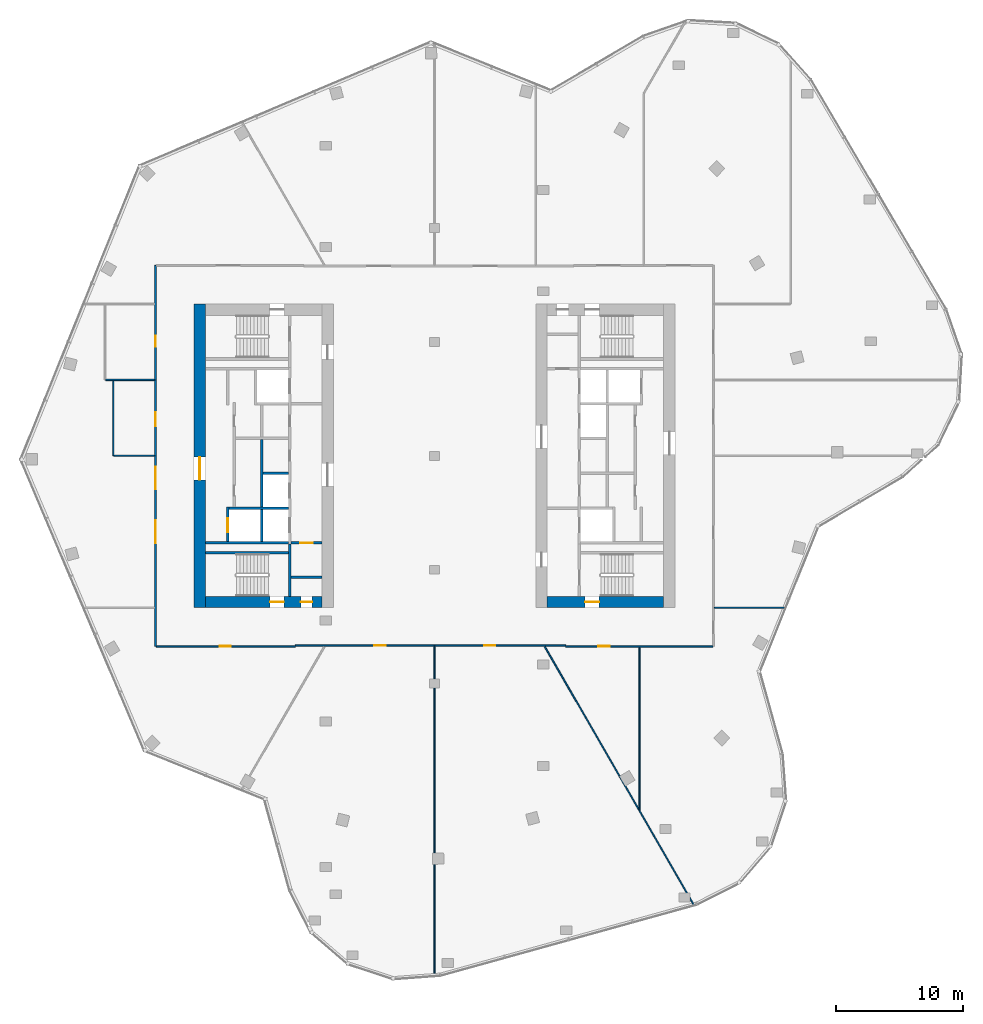
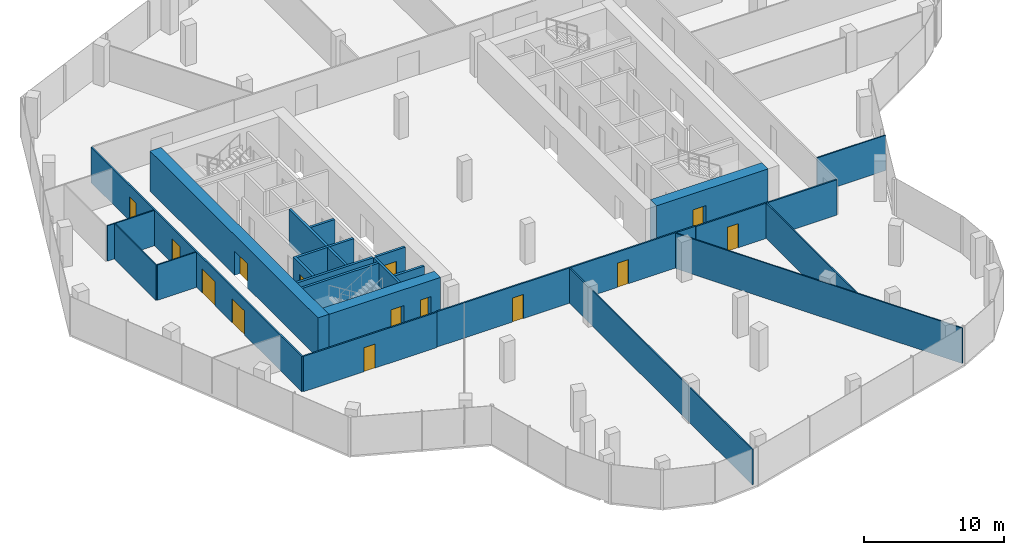
# One storey, part 12 of 16: 24 walls, 14 doors, 14 openings.
"""IFC4 building model written with IfcOpenShell, lengths in metres."""

from ifc_helpers import new_model, si_unit, direction, frame, frame_2d, origin, place, context, subcontext, project, spatial, rectangle, extrude, material, layer, layer_set, type_object, element, fill, save


model = new_model("IFC4")

# Units and contexts
model_context = context("Model", 3, precision=1e-05, world=origin(), true_north=direction((0.0, 1.0)))
body_context = subcontext(model_context, "Body", "Model", "MODEL_VIEW")
ifc_project = project(units=[si_unit("LENGTHUNIT", "METRE"), si_unit("AREAUNIT", "SQUARE_METRE"), si_unit("VOLUMEUNIT", "CUBIC_METRE"), si_unit("PLANEANGLEUNIT", "RADIAN"), si_unit("MASSUNIT", "GRAM", prefix="KILO")], contexts=[model_context])

# Site, building, storey
site_placement = place(None, origin())
site = spatial("IfcSite", under=ifc_project, at=site_placement, CompositionType="ELEMENT")
building_placement = place(site_placement, origin())
building = spatial("IfcBuilding", under=site, at=building_placement, Name="Orlundy Tower", CompositionType="ELEMENT")
storey_placement = place(building_placement, frame((0.0, 0.0, 285.89990234375)))
storey = spatial("IfcBuildingStorey", under=building, at=storey_placement, Name="L76", CompositionType="ELEMENT", Elevation=285.89990234375)

# Wall, openings, doors
ifc_material_1 = material(Name="Concrete C50/60", Category="concrete")
ifc_layer_1 = layer(ifc_material_1, 0.89990234375)
ifc_layer_set_1 = layer_set([ifc_layer_1], Name="CORE WALL 900 C50/60")
wall_type_1 = type_object("IfcWallType", Name="CORE WALL 900 C50/60", PredefinedType="SHEAR", material=ifc_layer_set_1)
wall_1_placement = place(storey_placement, frame((-18.10009765625, -11.550048828125, 0.0), z_axis=(0.0, 0.0, 1.0), x_axis=(1.0, 0.0, 0.0)))
wall_1 = element("IfcWall", 1, at=wall_1_placement, inside=storey, type_object=wall_type_1, Name="Core wall W-S L76", PredefinedType="SHEAR", context=body_context, shape_type="SweptSolid", body=[
    extrude(rectangle(XDim=9.2001953125, YDim=0.89990234375, at=frame_2d((4.60009765625, 0.0))), origin(), (0.0, 0.0, 1.0), 3.5),
])
opening_1_placement = place(wall_1_placement, frame((5.10009765625, 0.0, 0.0)))
opening_1 = element("IfcOpeningElement", 2, at=opening_1_placement, cuts=wall_1, Name="Opening 58013", PredefinedType="OPENING", context=body_context, shape_type="SweptSolid", body=[
    extrude(rectangle(XDim=1.10009765625, YDim=2.10009765625, at=frame_2d((0.550048828125, 1.050048828125))), frame((0.0, 0.4599609375, 0.0), z_axis=(0.0, -1.0, 0.0), x_axis=(1.0, 0.0, 0.0)), (0.0, 0.0, 1.0), 0.919921875),
])
opening_2_placement = place(wall_1_placement, frame((7.530029296875, 0.0, 0.0)))
opening_2 = element("IfcOpeningElement", 3, at=opening_2_placement, cuts=wall_1, Name="Opening 58015", PredefinedType="OPENING", context=body_context, shape_type="SweptSolid", body=[
    extrude(rectangle(XDim=0.89990234375, YDim=2.10009765625, at=frame_2d((0.449951171875, 1.050048828125))), frame((0.0, 0.4599609375, 0.0), z_axis=(0.0, -1.0, 0.0), x_axis=(1.0, 0.0, 0.0)), (0.0, 0.0, 1.0), 0.919921875),
])
ifc_material_2 = material(Name="Timber door set", Category="wood")
door_type_1 = type_object("IfcDoorType", Name="Room Door 900x2100", OperationType="SINGLE_SWING_LEFT", PredefinedType="DOOR", material=ifc_material_2)
door_1_placement = place(opening_2_placement, origin())
door_1 = element("IfcDoor", 4, at=door_1_placement, inside=storey, type_object=door_type_1, Name="Store door 58015", OperationType="SINGLE_SWING_RIGHT", OverallHeight=2.10009765625, OverallWidth=0.89990234375, PredefinedType="DOOR", context=body_context, shape_type="SweptSolid", body=[
    extrude(rectangle(XDim=0.89990234375, YDim=2.10009765625, at=frame_2d((0.449951171875, 1.050048828125))), frame((0.0, 0.02490234375, 0.0), z_axis=(0.0, -1.0, 0.0), x_axis=(1.0, 0.0, 0.0)), (0.0, 0.0, 1.0), 0.050048828125),
])
fill(opening_2, door_1)
ifc_material_3 = material(Name="Steel door set", Category="steel")
door_type_2 = type_object("IfcDoorType", Name="Stair Door 1100x2100", OperationType="SINGLE_SWING_LEFT", PredefinedType="DOOR", material=ifc_material_3)
door_2_placement = place(opening_1_placement, origin())
door_2 = element("IfcDoor", 5, at=door_2_placement, inside=storey, type_object=door_type_2, Name="Stair door 58013", OperationType="SINGLE_SWING_RIGHT", OverallHeight=2.10009765625, OverallWidth=1.10009765625, PredefinedType="DOOR", context=body_context, shape_type="SweptSolid", body=[
    extrude(rectangle(XDim=1.10009765625, YDim=2.10009765625, at=frame_2d((0.550048828125, 1.050048828125))), frame((0.0, 0.02490234375, 0.0), z_axis=(0.0, -1.0, 0.0), x_axis=(1.0, 0.0, 0.0)), (0.0, 0.0, 1.0), 0.050048828125),
])
fill(opening_1, door_2)

# Wall, opening, door
wall_2_placement = place(storey_placement, frame((-18.550048828125, -12.0, 0.0), z_axis=(0.0, 0.0, 1.0), x_axis=(0.0, 1.0, 0.0)))
wall_2 = element("IfcWall", 6, at=wall_2_placement, inside=storey, type_object=wall_type_1, Name="Core wall W-W L76", PredefinedType="SHEAR", context=body_context, shape_type="SweptSolid", body=[
    extrude(rectangle(XDim=24.0, YDim=0.89990234375, at=frame_2d((12.0, 0.0))), origin(), (0.0, 0.0, 1.0), 3.5),
])
opening_3_placement = place(wall_2_placement, frame((10.10009765625, 0.0, 0.0)))
opening_3 = element("IfcOpeningElement", 7, at=opening_3_placement, cuts=wall_2, Name="Opening 58010", PredefinedType="OPENING", context=body_context, shape_type="SweptSolid", body=[
    extrude(rectangle(XDim=1.800048828125, YDim=2.10009765625, at=frame_2d((0.89990234375, 1.050048828125))), frame((0.0, 0.4599609375, 0.0), z_axis=(0.0, -1.0, 0.0), x_axis=(1.0, 0.0, 0.0)), (0.0, 0.0, 1.0), 0.919921875),
])
ifc_material_4 = material(Name="Timber door set", Category="wood")
door_type_3 = type_object("IfcDoorType", Name="Lobby Door 1800x2100", OperationType="DOUBLE_DOOR_DOUBLE_SWING", PredefinedType="DOOR", material=ifc_material_4)
door_3_placement = place(opening_3_placement, origin())
door_3 = element("IfcDoor", 8, at=door_3_placement, inside=storey, type_object=door_type_3, Name="Lift lobby door 58010", OperationType="SINGLE_SWING_LEFT", OverallHeight=2.10009765625, OverallWidth=1.800048828125, PredefinedType="DOOR", context=body_context, shape_type="SweptSolid", body=[
    extrude(rectangle(XDim=1.800048828125, YDim=2.10009765625, at=frame_2d((0.89990234375, 1.050048828125))), frame((0.0, 0.02490234375, 0.0), z_axis=(0.0, -1.0, 0.0), x_axis=(1.0, 0.0, 0.0)), (0.0, 0.0, 1.0), 0.050048828125),
])
fill(opening_3, door_3)

wall_3_placement = place(storey_placement, frame((8.89990234375, -11.550048828125, 0.0), z_axis=(0.0, 0.0, 1.0), x_axis=(1.0, 0.0, 0.0)))
wall_3 = element("IfcWall", 9, at=wall_3_placement, inside=storey, type_object=wall_type_1, Name="Core wall E-S L76", PredefinedType="SHEAR", context=body_context, shape_type="SweptSolid", body=[
    extrude(rectangle(XDim=9.2001953125, YDim=0.89990234375, at=frame_2d((4.60009765625, 0.0))), origin(), (0.0, 0.0, 1.0), 3.5),
])
opening_4_placement = place(wall_3_placement, frame((3.0, 0.0, 0.0)))
opening_4 = element("IfcOpeningElement", 10, at=opening_4_placement, cuts=wall_3, Name="Opening 58061", PredefinedType="OPENING", context=body_context, shape_type="SweptSolid", body=[
    extrude(rectangle(XDim=1.10009765625, YDim=2.10009765625, at=frame_2d((0.550048828125, 1.050048828125))), frame((0.0, 0.4599609375, 0.0), z_axis=(0.0, -1.0, 0.0), x_axis=(1.0, 0.0, 0.0)), (0.0, 0.0, 1.0), 0.919921875),
])
door_4_placement = place(opening_4_placement, origin())
door_4 = element("IfcDoor", 11, at=door_4_placement, inside=storey, type_object=door_type_2, Name="Stair door 58061", OperationType="SINGLE_SWING_LEFT", OverallHeight=2.10009765625, OverallWidth=1.10009765625, PredefinedType="DOOR", context=body_context, shape_type="SweptSolid", body=[
    extrude(rectangle(XDim=1.10009765625, YDim=2.10009765625, at=frame_2d((0.550048828125, 1.050048828125))), frame((0.0, 0.02490234375, 0.0), z_axis=(0.0, -1.0, 0.0), x_axis=(1.0, 0.0, 0.0)), (0.0, 0.0, 1.0), 0.050048828125),
])
fill(opening_4, door_4)

# Walls
ifc_material_5 = material(Name="Gypsum board partition")
ifc_layer_2 = layer(ifc_material_5, 0.10009765625)
ifc_layer_set_2 = layer_set([ifc_layer_2], Name="Floor partition 100")
wall_type_2 = type_object("IfcWallType", Name="Floor partition 100", PredefinedType="PARTITIONING", material=ifc_layer_set_2)
wall_4_placement = place(storey_placement, frame((8.7119140625, -15.087890625, 0.0), z_axis=(0.0, 0.0, 1.0), x_axis=(0.499948681642, -0.866055030425, 0.0)))
element("IfcWall", 12, at=wall_4_placement, inside=storey, type_object=wall_type_2, Name="wall-int-L76-002", PredefinedType="PARTITIONING", context=body_context, shape_type="SweptSolid", body=[
    extrude(rectangle(XDim=23.634765625, YDim=0.10009765625, at=frame_2d((11.8173828125, 0.0))), origin(), (0.0, 0.0, 1.0), 3.080078125),
])
wall_5_placement = place(storey_placement, frame((22.113037109375, -12.0, 0.0), z_axis=(0.0, 0.0, 1.0), x_axis=(1.0, 0.0, 0.0)))
element("IfcWall", 13, at=wall_5_placement, inside=storey, type_object=wall_type_2, Name="wall-int-L76-007", PredefinedType="PARTITIONING", context=body_context, shape_type="SweptSolid", body=[
    extrude(rectangle(XDim=5.6650390625, YDim=0.10009765625, at=frame_2d((2.83251953125, 0.0))), origin(), (0.0, 0.0, 1.0), 3.080078125),
])
wall_6_placement = place(storey_placement, frame((-25.3310546875, 0.0009765625, 0.0), z_axis=(0.0, 0.0, 1.0), x_axis=(1.0, 0.0, 0.0)))
element("IfcWall", 14, at=wall_6_placement, inside=storey, type_object=wall_type_2, Name="wall-int-L76-008", PredefinedType="PARTITIONING", context=body_context, shape_type="SweptSolid", body=[
    extrude(rectangle(XDim=3.218017578125, YDim=0.10009765625, at=frame_2d((1.60888671875, 0.0))), origin(), (0.0, 0.0, 1.0), 3.080078125),
])
wall_7_placement = place(storey_placement, frame((-25.998046875, 6.0009765625, 0.0), z_axis=(0.0, 0.0, 1.0), x_axis=(1.0, 0.0, 0.0)))
element("IfcWall", 15, at=wall_7_placement, inside=storey, type_object=wall_type_2, Name="wall-int-L76-010", PredefinedType="PARTITIONING", context=body_context, shape_type="SweptSolid", body=[
    extrude(rectangle(XDim=3.885009765625, YDim=0.10009765625, at=frame_2d((1.9423828125, 0.0))), origin(), (0.0, 0.0, 1.0), 3.080078125),
])
wall_8_placement = place(storey_placement, frame((16.199951171875, -28.009033203125, 0.0), z_axis=(0.0, 0.0, 1.0), x_axis=(0.0, 1.0, 0.0)))
element("IfcWall", 16, at=wall_8_placement, inside=storey, type_object=wall_type_2, Name="wall-int-L76-022", PredefinedType="PARTITIONING", context=body_context, shape_type="SweptSolid", body=[
    extrude(rectangle(XDim=12.89501953125, YDim=0.10009765625, at=frame_2d((6.447509765625, 0.0))), origin(), (0.0, 0.0, 1.0), 3.080078125),
])
wall_9_placement = place(storey_placement, frame((0.0, -41.152099609375, 0.0), z_axis=(0.0, 0.0, 1.0), x_axis=(0.0, 1.0, 0.0)))
element("IfcWall", 17, at=wall_9_placement, inside=storey, type_object=wall_type_2, Name="wall-int-L76-024", PredefinedType="PARTITIONING", context=body_context, shape_type="SweptSolid", body=[
    extrude(rectangle(XDim=26.089111328125, YDim=0.10009765625, at=frame_2d((13.04443359375, 0.0))), origin(), (0.0, 0.0, 1.0), 3.080078125),
])
wall_10_placement = place(storey_placement, frame((-25.382080078125, 0.001953125, 0.0), z_axis=(0.0, 0.0, 1.0), x_axis=(0.0, 1.0, 0.0)))
element("IfcWall", 18, at=wall_10_placement, inside=storey, type_object=wall_type_2, Name="wall-int-L76-027", PredefinedType="PARTITIONING", context=body_context, shape_type="SweptSolid", body=[
    extrude(rectangle(XDim=5.948974609375, YDim=0.10009765625, at=frame_2d((2.974609375, 0.0))), origin(), (0.0, 0.0, 1.0), 3.080078125),
])

# Wall, opening, door
ifc_material_6 = material(Name="Gypsum board partition, double layer")
ifc_layer_3 = layer(ifc_material_6, 0.125)
ifc_layer_set_3 = layer_set([ifc_layer_3], Name="Floor partition 125")
wall_type_3 = type_object("IfcWallType", Name="Floor partition 125", PredefinedType="PARTITIONING", material=ifc_layer_set_3)
wall_11_placement = place(storey_placement, frame((-10.990966796875, -15.051025390625, 0.0), z_axis=(0.0, 0.0, 1.0), x_axis=(-1.0, 0.0, 0.0)))
wall_11 = element("IfcWall", 19, at=wall_11_placement, inside=storey, type_object=wall_type_3, Name="wall-int-L76-003", PredefinedType="PARTITIONING", context=body_context, shape_type="SweptSolid", body=[
    extrude(rectangle(XDim=10.9970703125, YDim=0.125, at=frame_2d((5.49853515625, 0.0))), origin(), (0.0, 0.0, 1.0), 3.080078125),
])
opening_5_placement = place(wall_11_placement, frame((5.10009765625, 0.0, 0.0)))
opening_5 = element("IfcOpeningElement", 20, at=opening_5_placement, cuts=wall_11, Name="Opening 58102", PredefinedType="OPENING", context=body_context, shape_type="SweptSolid", body=[
    extrude(rectangle(XDim=0.89990234375, YDim=2.10009765625, at=frame_2d((0.449951171875, 1.050048828125))), frame((0.0, 0.072509765625, 0.0), z_axis=(0.0, -1.0, 0.0), x_axis=(1.0, 0.0, 0.0)), (0.0, 0.0, 1.0), 0.14501953125),
])
ifc_material_7 = material(Name="Timber door leaf", Category="wood")
door_type_4 = type_object("IfcDoorType", Name="Floor door single 900 FD30S", OperationType="NOTDEFINED", PredefinedType="DOOR", material=ifc_material_7)
door_5_placement = place(opening_5_placement, origin())
door_5 = element("IfcDoor", 21, at=door_5_placement, inside=storey, type_object=door_type_4, Name="Door 58102", OperationType="SINGLE_SWING_RIGHT", OverallHeight=2.10009765625, OverallWidth=0.89990234375, PredefinedType="DOOR", context=body_context, shape_type="SweptSolid", body=[
    extrude(rectangle(XDim=0.89990234375, YDim=2.10009765625, at=frame_2d((0.449951171875, 1.050048828125))), frame((0.0, 0.02490234375, 0.0), z_axis=(0.0, -1.0, 0.0), x_axis=(1.0, 0.0, 0.0)), (0.0, 0.0, 1.0), 0.050048828125),
])
fill(opening_5, door_5)

wall_12_placement = place(storey_placement, frame((21.988037109375, -15.051025390625, 0.0), z_axis=(0.0, 0.0, 1.0), x_axis=(-1.0, 0.0, 0.0)))
wall_12 = element("IfcWall", 22, at=wall_12_placement, inside=storey, type_object=wall_type_3, Name="wall-int-L76-004", PredefinedType="PARTITIONING", context=body_context, shape_type="SweptSolid", body=[
    extrude(rectangle(XDim=11.637939453125, YDim=0.125, at=frame_2d((5.81884765625, 0.0))), origin(), (0.0, 0.0, 1.0), 3.080078125),
])
opening_6_placement = place(wall_12_placement, frame((8.137451171875, 0.0, 0.0)))
opening_6 = element("IfcOpeningElement", 23, at=opening_6_placement, cuts=wall_12, Name="Opening 58105", PredefinedType="OPENING", context=body_context, shape_type="SweptSolid", body=[
    extrude(rectangle(XDim=0.89990234375, YDim=2.10009765625, at=frame_2d((0.449951171875, 1.050048828125))), frame((0.0, 0.072509765625, 0.0), z_axis=(0.0, -1.0, 0.0), x_axis=(1.0, 0.0, 0.0)), (0.0, 0.0, 1.0), 0.14501953125),
])
door_6_placement = place(opening_6_placement, origin())
door_6 = element("IfcDoor", 24, at=door_6_placement, inside=storey, type_object=door_type_4, Name="Door 58105", OperationType="SINGLE_SWING_RIGHT", OverallHeight=2.10009765625, OverallWidth=0.89990234375, PredefinedType="DOOR", context=body_context, shape_type="SweptSolid", body=[
    extrude(rectangle(XDim=0.89990234375, YDim=2.10009765625, at=frame_2d((0.449951171875, 1.050048828125))), frame((0.0, 0.02490234375, 0.0), z_axis=(0.0, -1.0, 0.0), x_axis=(1.0, 0.0, 0.0)), (0.0, 0.0, 1.0), 0.050048828125),
])
fill(opening_6, door_6)

# Wall, openings, doors
wall_13_placement = place(storey_placement, frame((10.34912109375, -15.0009765625, 0.0), z_axis=(0.0, 0.0, 1.0), x_axis=(-1.0, 0.0, 0.0)))
wall_13 = element("IfcWall", 25, at=wall_13_placement, inside=storey, type_object=wall_type_3, Name="wall-int-L76-005", PredefinedType="PARTITIONING", context=body_context, shape_type="SweptSolid", body=[
    extrude(rectangle(XDim=21.339111328125, YDim=0.125, at=frame_2d((10.66943359375, 0.0))), origin(), (0.0, 0.0, 1.0), 3.080078125),
])
opening_7_placement = place(wall_13_placement, frame((14.198974609375, 0.0, 0.0)))
opening_7 = element("IfcOpeningElement", 26, at=opening_7_placement, cuts=wall_13, Name="Opening 58103", PredefinedType="OPENING", context=body_context, shape_type="SweptSolid", body=[
    extrude(rectangle(XDim=0.89990234375, YDim=2.10009765625, at=frame_2d((0.449951171875, 1.050048828125))), frame((0.0, 0.072509765625, 0.0), z_axis=(0.0, -1.0, 0.0), x_axis=(1.0, 0.0, 0.0)), (0.0, 0.0, 1.0), 0.14501953125),
])
opening_8_placement = place(wall_13_placement, frame((5.5380859375, 0.0, 0.0)))
opening_8 = element("IfcOpeningElement", 27, at=opening_8_placement, cuts=wall_13, Name="Opening 58104", PredefinedType="OPENING", context=body_context, shape_type="SweptSolid", body=[
    extrude(rectangle(XDim=0.89990234375, YDim=2.10009765625, at=frame_2d((0.449951171875, 1.050048828125))), frame((0.0, 0.072509765625, 0.0), z_axis=(0.0, -1.0, 0.0), x_axis=(1.0, 0.0, 0.0)), (0.0, 0.0, 1.0), 0.14501953125),
])
door_7_placement = place(opening_7_placement, origin())
door_7 = element("IfcDoor", 28, at=door_7_placement, inside=storey, type_object=door_type_4, Name="Door 58103", OperationType="SINGLE_SWING_RIGHT", OverallHeight=2.10009765625, OverallWidth=0.89990234375, PredefinedType="DOOR", context=body_context, shape_type="SweptSolid", body=[
    extrude(rectangle(XDim=0.89990234375, YDim=2.10009765625, at=frame_2d((0.449951171875, 1.050048828125))), frame((0.0, 0.02490234375, 0.0), z_axis=(0.0, -1.0, 0.0), x_axis=(1.0, 0.0, 0.0)), (0.0, 0.0, 1.0), 0.050048828125),
])
fill(opening_7, door_7)
door_8_placement = place(opening_8_placement, origin())
door_8 = element("IfcDoor", 29, at=door_8_placement, inside=storey, type_object=door_type_4, Name="Door 58104", OperationType="SINGLE_SWING_LEFT", OverallHeight=2.10009765625, OverallWidth=0.89990234375, PredefinedType="DOOR", context=body_context, shape_type="SweptSolid", body=[
    extrude(rectangle(XDim=0.89990234375, YDim=2.10009765625, at=frame_2d((0.449951171875, 1.050048828125))), frame((0.0, 0.02490234375, 0.0), z_axis=(0.0, -1.0, 0.0), x_axis=(1.0, 0.0, 0.0)), (0.0, 0.0, 1.0), 0.050048828125),
])
fill(opening_8, door_8)

wall_14_placement = place(storey_placement, frame((-22.050048828125, -15.051025390625, 0.0), z_axis=(0.0, 0.0, 1.0), x_axis=(0.0, 1.0, 0.0)))
wall_14 = element("IfcWall", 30, at=wall_14_placement, inside=storey, type_object=wall_type_3, Name="wall-int-L76-026", PredefinedType="PARTITIONING", context=body_context, shape_type="SweptSolid", body=[
    extrude(rectangle(XDim=30.10205078125, YDim=0.125, at=frame_2d((15.051025390625, 0.0))), origin(), (0.0, 0.0, 1.0), 3.080078125),
])
opening_9_placement = place(wall_14_placement, frame((8.15087890625, 0.0, 0.0)))
opening_9 = element("IfcOpeningElement", 31, at=opening_9_placement, cuts=wall_14, Name="Opening 58100", PredefinedType="OPENING", context=body_context, shape_type="SweptSolid", body=[
    extrude(rectangle(XDim=1.800048828125, YDim=2.10009765625, at=frame_2d((0.89990234375, 1.050048828125))), frame((0.0, 0.072509765625, 0.0), z_axis=(0.0, -1.0, 0.0), x_axis=(1.0, 0.0, 0.0)), (0.0, 0.0, 1.0), 0.14501953125),
])
opening_10_placement = place(wall_14_placement, frame((12.40087890625, 0.0, 0.0)))
opening_10 = element("IfcOpeningElement", 32, at=opening_10_placement, cuts=wall_14, Name="Opening 58101", PredefinedType="OPENING", context=body_context, shape_type="SweptSolid", body=[
    extrude(rectangle(XDim=1.800048828125, YDim=2.10009765625, at=frame_2d((0.89990234375, 1.050048828125))), frame((0.0, 0.072509765625, 0.0), z_axis=(0.0, -1.0, 0.0), x_axis=(1.0, 0.0, 0.0)), (0.0, 0.0, 1.0), 0.14501953125),
])
opening_11_placement = place(wall_14_placement, frame((23.652099609375, 0.0, 0.0)))
opening_11 = element("IfcOpeningElement", 33, at=opening_11_placement, cuts=wall_14, Name="Opening 58115", PredefinedType="OPENING", context=body_context, shape_type="SweptSolid", body=[
    extrude(rectangle(XDim=0.89990234375, YDim=2.10009765625, at=frame_2d((0.449951171875, 1.050048828125))), frame((0.0, 0.072509765625, 0.0), z_axis=(0.0, -1.0, 0.0), x_axis=(1.0, 0.0, 0.0)), (0.0, 0.0, 1.0), 0.14501953125),
])
opening_12_placement = place(wall_14_placement, frame((17.403076171875, 0.0, 0.0)))
opening_12 = element("IfcOpeningElement", 34, at=opening_12_placement, cuts=wall_14, Name="Opening 58116", PredefinedType="OPENING", context=body_context, shape_type="SweptSolid", body=[
    extrude(rectangle(XDim=1.10009765625, YDim=2.10009765625, at=frame_2d((0.550048828125, 1.050048828125))), frame((0.0, 0.072509765625, 0.0), z_axis=(0.0, -1.0, 0.0), x_axis=(1.0, 0.0, 0.0)), (0.0, 0.0, 1.0), 0.14501953125),
])
ifc_material_8 = material(Name="Timber door leaf", Category="wood")
door_type_5 = type_object("IfcDoorType", Name="Floor door double 1800 FD30S", OperationType="NOTDEFINED", PredefinedType="DOOR", material=ifc_material_8)
door_9_placement = place(opening_9_placement, origin())
door_9 = element("IfcDoor", 35, at=door_9_placement, inside=storey, type_object=door_type_5, Name="Door 58100", OperationType="DOUBLE_DOOR_SINGLE_SWING", OverallHeight=2.10009765625, OverallWidth=1.800048828125, PredefinedType="DOOR", context=body_context, shape_type="SweptSolid", body=[
    extrude(rectangle(XDim=1.800048828125, YDim=2.10009765625, at=frame_2d((0.89990234375, 1.050048828125))), frame((0.0, 0.02490234375, 0.0), z_axis=(0.0, -1.0, 0.0), x_axis=(1.0, 0.0, 0.0)), (0.0, 0.0, 1.0), 0.050048828125),
])
fill(opening_9, door_9)
door_10_placement = place(opening_10_placement, origin())
door_10 = element("IfcDoor", 36, at=door_10_placement, inside=storey, type_object=door_type_5, Name="Door 58101", OperationType="DOUBLE_DOOR_SINGLE_SWING", OverallHeight=2.10009765625, OverallWidth=1.800048828125, PredefinedType="DOOR", context=body_context, shape_type="SweptSolid", body=[
    extrude(rectangle(XDim=1.800048828125, YDim=2.10009765625, at=frame_2d((0.89990234375, 1.050048828125))), frame((0.0, 0.02490234375, 0.0), z_axis=(0.0, -1.0, 0.0), x_axis=(1.0, 0.0, 0.0)), (0.0, 0.0, 1.0), 0.050048828125),
])
fill(opening_10, door_10)
door_11_placement = place(opening_11_placement, origin())
door_11 = element("IfcDoor", 37, at=door_11_placement, inside=storey, type_object=door_type_4, Name="Door 58115", OperationType="SINGLE_SWING_RIGHT", OverallHeight=2.10009765625, OverallWidth=0.89990234375, PredefinedType="DOOR", context=body_context, shape_type="SweptSolid", body=[
    extrude(rectangle(XDim=0.89990234375, YDim=2.10009765625, at=frame_2d((0.449951171875, 1.050048828125))), frame((0.0, 0.02490234375, 0.0), z_axis=(0.0, -1.0, 0.0), x_axis=(1.0, 0.0, 0.0)), (0.0, 0.0, 1.0), 0.050048828125),
])
fill(opening_11, door_11)
ifc_material_9 = material(Name="Timber door leaf", Category="wood")
door_type_6 = type_object("IfcDoorType", Name="Floor door xwide 1100 FD30S", OperationType="NOTDEFINED", PredefinedType="DOOR", material=ifc_material_9)
door_12_placement = place(opening_12_placement, origin())
door_12 = element("IfcDoor", 38, at=door_12_placement, inside=storey, type_object=door_type_6, Name="Door 58116", OperationType="SINGLE_SWING_RIGHT", OverallHeight=2.10009765625, OverallWidth=1.10009765625, PredefinedType="DOOR", context=body_context, shape_type="SweptSolid", body=[
    extrude(rectangle(XDim=1.10009765625, YDim=2.10009765625, at=frame_2d((0.550048828125, 1.050048828125))), frame((0.0, 0.02490234375, 0.0), z_axis=(0.0, -1.0, 0.0), x_axis=(1.0, 0.0, 0.0)), (0.0, 0.0, 1.0), 0.050048828125),
])
fill(opening_12, door_12)

# Walls
ifc_material_10 = material(Name="Concrete C40/50", Category="concrete")
ifc_layer_4 = layer(ifc_material_10, 0.199951171875)
ifc_layer_set_4 = layer_set([ifc_layer_4], Name="Load-bearing Shaft Wall 200")
wall_type_4 = type_object("IfcWallType", Name="Load-bearing Shaft Wall 200", PredefinedType="SOLIDWALL", material=ifc_layer_set_4)
wall_15_placement = place(storey_placement, frame((-11.43994140625, -11.10009765625, 0.0), z_axis=(0.0, 0.0, 1.0), x_axis=(0.0, 1.0, 0.0)))
element("IfcWall", 39, at=wall_15_placement, inside=storey, type_object=wall_type_4, Name="Shaft wall W58-stair-end-s", PredefinedType="SOLIDWALL", context=body_context, shape_type="SweptSolid", body=[
    extrude(rectangle(XDim=4.125, YDim=0.199951171875, at=frame_2d((2.0625, 0.0))), origin(), (0.0, 0.0, 1.0), 3.090087890625),
])
wall_16_placement = place(storey_placement, frame((-11.5400390625, -7.64990234375, 0.0), z_axis=(0.0, 0.0, 1.0), x_axis=(-1.0, 0.0, 0.0)))
element("IfcWall", 40, at=wall_16_placement, inside=storey, type_object=wall_type_4, Name="Shaft wall W58-stair-side-s", PredefinedType="SOLIDWALL", context=body_context, shape_type="SweptSolid", body=[
    extrude(rectangle(XDim=6.56005859375, YDim=0.199951171875, at=frame_2d((3.280029296875, 0.0))), origin(), (0.0, 0.0, 1.0), 3.090087890625),
])

# Wall, opening, door
ifc_material_11 = material(Name="Gypsum board partition on steel studs", Category="steel")
ifc_layer_5 = layer(ifc_material_11, 0.199951171875)
ifc_layer_set_5 = layer_set([ifc_layer_5], Name="Partition 200")
wall_type_5 = type_object("IfcWallType", Name="Partition 200", PredefinedType="PARTITIONING", material=ifc_layer_set_5)
wall_17_placement = place(storey_placement, frame((-8.89990234375, -6.875, 0.0), z_axis=(0.0, 0.0, 1.0), x_axis=(-1.0, 0.0, 0.0)))
wall_17 = element("IfcWall", 41, at=wall_17_placement, inside=storey, type_object=wall_type_5, Name="Partition wall W58-end-s", PredefinedType="PARTITIONING", context=body_context, shape_type="SweptSolid", body=[
    extrude(rectangle(XDim=2.440185546875, YDim=0.199951171875, at=frame_2d((1.22021484375, 0.0))), origin(), (0.0, 0.0, 1.0), 3.090087890625),
])
opening_13_placement = place(wall_17_placement, frame((0.719970703125, 0.0, 0.0)))
opening_13 = element("IfcOpeningElement", 42, at=opening_13_placement, cuts=wall_17, Name="Opening 58016", PredefinedType="OPENING", context=body_context, shape_type="SweptSolid", body=[
    extrude(rectangle(XDim=1.0, YDim=2.10009765625, at=frame_2d((0.5, 1.050048828125))), frame((0.0, 0.110107421875, 0.0), z_axis=(0.0, -1.0, 0.0), x_axis=(1.0, 0.0, 0.0)), (0.0, 0.0, 1.0), 0.22021484375),
])
ifc_material_12 = material(Name="Timber door set", Category="wood")
door_type_7 = type_object("IfcDoorType", Name="Accessible Door 1000x2100", OperationType="SINGLE_SWING_LEFT", PredefinedType="DOOR", material=ifc_material_12)
door_13_placement = place(opening_13_placement, origin())
door_13 = element("IfcDoor", 43, at=door_13_placement, inside=storey, type_object=door_type_7, Name="Accessible WC door 58016", OperationType="SINGLE_SWING_RIGHT", OverallHeight=2.10009765625, OverallWidth=1.0, PredefinedType="DOOR", context=body_context, shape_type="SweptSolid", body=[
    extrude(rectangle(XDim=1.0, YDim=2.10009765625, at=frame_2d((0.5, 1.050048828125))), frame((0.0, 0.02490234375, 0.0), z_axis=(0.0, -1.0, 0.0), x_axis=(1.0, 0.0, 0.0)), (0.0, 0.0, 1.0), 0.050048828125),
])
fill(opening_13, door_13)

# Walls
wall_18_placement = place(storey_placement, frame((-8.89990234375, -9.60009765625, 0.0), z_axis=(0.0, 0.0, 1.0), x_axis=(-1.0, 0.0, 0.0)))
element("IfcWall", 44, at=wall_18_placement, inside=storey, type_object=wall_type_5, Name="Partition wall W58-room-s0", PredefinedType="PARTITIONING", context=body_context, shape_type="SweptSolid", body=[
    extrude(rectangle(XDim=2.440185546875, YDim=0.199951171875, at=frame_2d((1.22021484375, 0.0))), origin(), (0.0, 0.0, 1.0), 3.090087890625),
])
ifc_material_13 = material(Name="Fire-rated blockwork shaft wall", Category="masonry")
ifc_layer_6 = layer(ifc_material_13, 0.199951171875)
ifc_layer_set_6 = layer_set([ifc_layer_6], Name="Shaft Wall 200")
wall_type_6 = type_object("IfcWallType", Name="Shaft Wall 200", PredefinedType="SOLIDWALL", material=ifc_layer_set_6)
wall_19_placement = place(storey_placement, frame((-11.5400390625, -6.875, 0.0), z_axis=(0.0, 0.0, 1.0), x_axis=(-1.0, 0.0, 0.0)))
element("IfcWall", 45, at=wall_19_placement, inside=storey, type_object=wall_type_6, Name="Shaft wall W58-zone-s", PredefinedType="SOLIDWALL", context=body_context, shape_type="SweptSolid", body=[
    extrude(rectangle(XDim=6.56005859375, YDim=0.199951171875, at=frame_2d((3.280029296875, 0.0))), origin(), (0.0, 0.0, 1.0), 3.090087890625),
])
wall_20_placement = place(storey_placement, frame((-11.5400390625, -4.125, 0.0), z_axis=(0.0, 0.0, 1.0), x_axis=(-1.0, 0.0, 0.0)))
element("IfcWall", 46, at=wall_20_placement, inside=storey, type_object=wall_type_6, Name="Shaft wall W58-cross-4.125", PredefinedType="SOLIDWALL", context=body_context, shape_type="SweptSolid", body=[
    extrude(rectangle(XDim=4.699951171875, YDim=0.199951171875, at=frame_2d((2.35009765625, 0.0))), origin(), (0.0, 0.0, 1.0), 3.090087890625),
])
wall_21_placement = place(storey_placement, frame((-11.5400390625, -1.375, 0.0), z_axis=(0.0, 0.0, 1.0), x_axis=(-1.0, 0.0, 0.0)))
element("IfcWall", 47, at=wall_21_placement, inside=storey, type_object=wall_type_6, Name="Shaft wall W58-cross-1.375", PredefinedType="SOLIDWALL", context=body_context, shape_type="SweptSolid", body=[
    extrude(rectangle(XDim=2.0, YDim=0.199951171875, at=frame_2d((1.0, 0.0))), origin(), (0.0, 0.0, 1.0), 3.090087890625),
])
wall_22_placement = place(storey_placement, frame((-13.639892578125, -6.77490234375, 0.0), z_axis=(0.0, 0.0, 1.0), x_axis=(0.0, 1.0, 0.0)))
element("IfcWall", 48, at=wall_22_placement, inside=storey, type_object=wall_type_6, Name="Shaft wall W58-mid-a", PredefinedType="SOLIDWALL", context=body_context, shape_type="SweptSolid", body=[
    extrude(rectangle(XDim=2.5498046875, YDim=0.199951171875, at=frame_2d((1.27490234375, 0.0))), origin(), (0.0, 0.0, 1.0), 3.090087890625),
])
wall_23_placement = place(storey_placement, frame((-13.639892578125, -4.02490234375, 0.0), z_axis=(0.0, 0.0, 1.0), x_axis=(0.0, 1.0, 0.0)))
element("IfcWall", 49, at=wall_23_placement, inside=storey, type_object=wall_type_6, Name="Shaft wall W58-mid-a.1", PredefinedType="SOLIDWALL", context=body_context, shape_type="SweptSolid", body=[
    extrude(rectangle(XDim=5.2998046875, YDim=0.199951171875, at=frame_2d((2.64990234375, 0.0))), origin(), (0.0, 0.0, 1.0), 3.090087890625),
])

# Wall, opening, door
wall_24_placement = place(storey_placement, frame((-16.340087890625, -6.77490234375, 0.0), z_axis=(0.0, 0.0, 1.0), x_axis=(0.0, 1.0, 0.0)))
wall_24 = element("IfcWall", 50, at=wall_24_placement, inside=storey, type_object=wall_type_6, Name="Shaft wall W58-front-o-a", PredefinedType="SOLIDWALL", context=body_context, shape_type="SweptSolid", body=[
    extrude(rectangle(XDim=2.75, YDim=0.199951171875, at=frame_2d((1.375, 0.0))), origin(), (0.0, 0.0, 1.0), 3.090087890625),
])
opening_14_placement = place(wall_24_placement, frame((0.72509765625, 0.0, 0.0)))
opening_14 = element("IfcOpeningElement", 51, at=opening_14_placement, cuts=wall_24, Name="Opening 58002", PredefinedType="OPENING", context=body_context, shape_type="SweptSolid", body=[
    extrude(rectangle(XDim=1.10009765625, YDim=2.10009765625, at=frame_2d((0.550048828125, 1.050048828125))), frame((0.0, 0.110107421875, 0.0), z_axis=(0.0, -1.0, 0.0), x_axis=(1.0, 0.0, 0.0)), (0.0, 0.0, 1.0), 0.22021484375),
])
ifc_material_14 = material(Name="Steel door set", Category="steel")
door_type_8 = type_object("IfcDoorType", Name="Landing Door 1100x2100", OperationType="DOUBLE_DOOR_SLIDING", PredefinedType="DOOR", material=ifc_material_14)
door_14_placement = place(opening_14_placement, origin())
door_14 = element("IfcDoor", 52, at=door_14_placement, inside=storey, type_object=door_type_8, Name="Lift landing door LV-01 58002", OperationType="DOUBLE_DOOR_SLIDING", OverallHeight=2.10009765625, OverallWidth=1.10009765625, PredefinedType="DOOR", context=body_context, shape_type="SweptSolid", body=[
    extrude(rectangle(XDim=1.10009765625, YDim=2.10009765625, at=frame_2d((0.550048828125, 1.050048828125))), frame((0.0, 0.02490234375, 0.0), z_axis=(0.0, -1.0, 0.0), x_axis=(1.0, 0.0, 0.0)), (0.0, 0.0, 1.0), 0.050048828125),
])
fill(opening_14, door_14)

save(model, "model.ifc")
